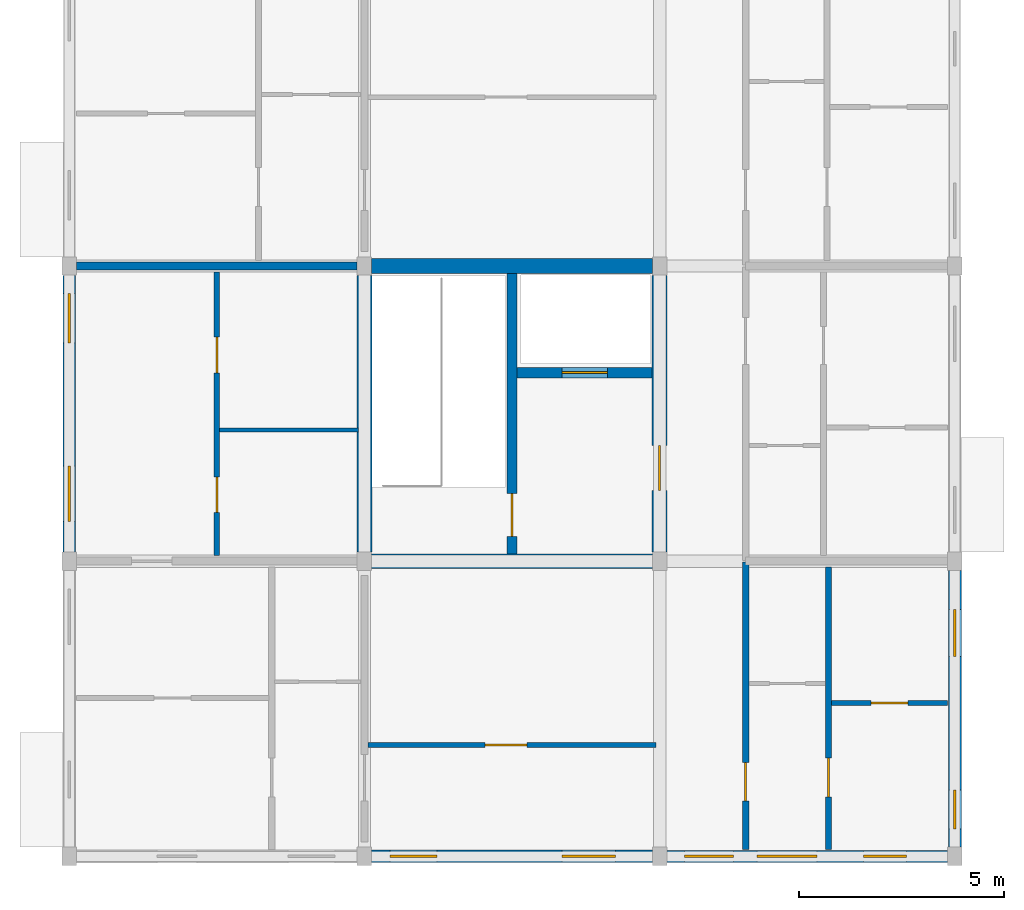
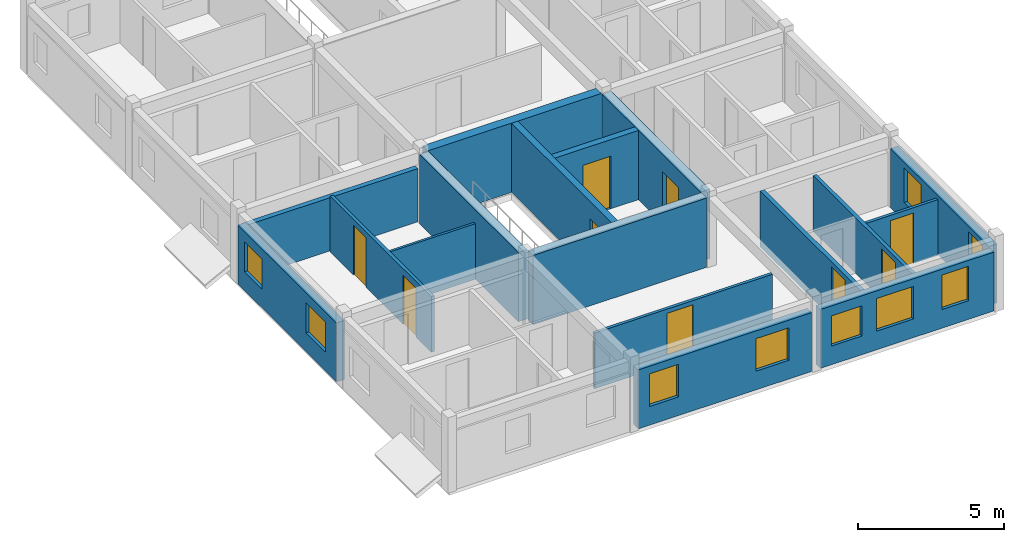
# One storey, part 2 of 6: 17 walls, 9 doors, 9 windows, 18 openings.
"""IFC4 building model written with IfcOpenShell, lengths in metres."""

import ifcopenshell
import ifcopenshell.guid

model = None  # the IFC model being written
_history = None  # IfcOwnerHistory: only IFC2X3 demands one
_inside = {}  # id of a spatial element -> (the spatial element, [elements in it])
_under = {}  # id of a project, library or spatial element -> (it, [spatial elements below it])
_declared = {}  # id of a project -> (the project, [libraries it declares])
_typed = {}  # id of a type object -> (the type object, [elements of that type])
_made_of = {}  # id of a material, layer set ... -> (it, [elements and type objects made of it])


def new_model(schema):
    """Start an empty IFC model of exactly this schema.

    Asked for "IFC4X3", IfcOpenShell would pick the latest addendum, in which some entities
    have other attributes; the version numbers below select the first issue.
    IFC2X3 requires an IfcOwnerHistory on every rooted entity: one is made here for all.
    """
    global model, _history
    if schema == "IFC4X3":
        model = ifcopenshell.file(schema_version=(4, 3, 0, 0))
    else:
        model = ifcopenshell.file(schema=schema)
    _inside.clear()
    _under.clear()
    _declared.clear()
    _typed.clear()
    _made_of.clear()
    _history = None
    if model.schema == "IFC2X3":
        org = make("IfcOrganization", Name="unknown")
        user = make(
            "IfcPersonAndOrganization",
            ThePerson=make("IfcPerson", FamilyName="unknown"),
            TheOrganization=org,
        )
        app = make(
            "IfcApplication",
            ApplicationDeveloper=org,
            Version="unknown",
            ApplicationFullName="unknown",
            ApplicationIdentifier="unknown",
        )
        _history = make(
            "IfcOwnerHistory",
            OwningUser=user,
            OwningApplication=app,
            ChangeAction="ADDED",
            CreationDate=0,
        )
    return model


def make(cls, **values):
    """One entity of the class cls with the attributes given. An attribute that is None is left unset."""
    return model.create_entity(
        cls, **{name: value for name, value in values.items() if value is not None}
    )


def rooted(cls, **values):
    """An entity with a GlobalId (a new one), such as an element, a storey or a relation."""
    return make(cls, GlobalId=ifcopenshell.guid.new(), OwnerHistory=_history, **values)


def si_unit(unit_type, name, prefix=None):
    """IfcSIUnit, for example si_unit("LENGTHUNIT", "METRE", prefix="MILLI")."""
    return make("IfcSIUnit", UnitType=unit_type, Prefix=prefix, Name=name)


def assignment(units):
    """IfcUnitAssignment: the units of a project."""
    return None if units is None else make("IfcUnitAssignment", Units=units)


def point(xyz):
    """IfcCartesianPoint."""
    return None if xyz is None else make("IfcCartesianPoint", Coordinates=xyz)


def direction(xyz):
    """IfcDirection."""
    return None if xyz is None else make("IfcDirection", DirectionRatios=xyz)


def frame(location, z_axis=None, x_axis=None):
    """IfcAxis2Placement3D, a coordinate frame: its origin and axes. An axis left out is left unset."""
    return make(
        "IfcAxis2Placement3D",
        Location=point(location),
        Axis=direction(z_axis),
        RefDirection=direction(x_axis),
    )


def frame_2d(location, x_axis=None):
    """IfcAxis2Placement2D, a coordinate frame in the plane: its origin and x axis."""
    return make(
        "IfcAxis2Placement2D", Location=point(location), RefDirection=direction(x_axis)
    )


def origin():
    """The frame at (0, 0, 0) with its axes left unset."""
    return frame((0.0, 0.0, 0.0))


def place(relative_to, where):
    """IfcLocalPlacement: puts the frame where relative to a parent placement (None: the world)."""
    return make(
        "IfcLocalPlacement", PlacementRelTo=relative_to, RelativePlacement=where
    )


def context(
    kind, dimensions, precision=None, world=None, true_north=None, identifier=None
):
    """IfcGeometricRepresentationContext, for example the 3D "Model" context."""
    return make(
        "IfcGeometricRepresentationContext",
        ContextIdentifier=identifier,
        ContextType=kind,
        CoordinateSpaceDimension=dimensions,
        Precision=precision,
        WorldCoordinateSystem=world,
        TrueNorth=true_north,
    )


def subcontext(parent, identifier, kind, view, scale=None):
    """IfcGeometricRepresentationSubContext, for example "Body" below "Model"."""
    return make(
        "IfcGeometricRepresentationSubContext",
        ContextIdentifier=identifier,
        ContextType=kind,
        ParentContext=parent,
        TargetScale=scale,
        TargetView=view,
    )


def project(units=None, contexts=None):
    """IfcProject with its units and contexts."""
    return rooted(
        "IfcProject",
        Name="project",
        RepresentationContexts=contexts,
        UnitsInContext=assignment(units),
    )


def spatial(cls, under=None, at=None, **own):
    """A site, building, storey or space (cls), placed at a placement, below another one or the project."""
    s = rooted(cls, ObjectPlacement=at, **own)
    if under is not None:
        _under.setdefault(under.id(), (under, []))[1].append(s)
    return s


def profile(cls, at=None, kind="AREA", **sizes):
    """A parametric profile (cls). Its sizes go by their IFC names, for example OverallWidth=200.0."""
    return make(cls, ProfileType=kind, Position=at, **sizes)


def rectangle(**sizes):
    """IfcRectangleProfileDef."""
    return profile("IfcRectangleProfileDef", **sizes)


def extrude(swept, where, along, depth):
    """IfcExtrudedAreaSolid: the profile swept, set in the frame where, extruded along a direction by depth."""
    return make(
        "IfcExtrudedAreaSolid",
        SweptArea=swept,
        Position=where,
        ExtrudedDirection=direction(along),
        Depth=depth,
    )


def shape(context_of_items, identifier, shape_type, items):
    """IfcShapeRepresentation: the items that make up one representation, for example the "Body"."""
    return make(
        "IfcShapeRepresentation",
        ContextOfItems=context_of_items,
        RepresentationIdentifier=identifier,
        RepresentationType=shape_type,
        Items=items,
    )


def material(Name=None, Category=None):
    """IfcMaterial."""
    return make("IfcMaterial", Name=Name, Category=Category)


def layer(
    of_material, thickness, ventilated=None, Name=None, Category=None, Priority=None
):
    """IfcMaterialLayer: one layer of a wall or slab, of a material (None: an air gap)."""
    return make(
        "IfcMaterialLayer",
        Material=of_material,
        LayerThickness=thickness,
        IsVentilated=ventilated,
        Name=Name,
        Category=Category,
        Priority=Priority,
    )


def layer_set(layers, Name=None):
    """IfcMaterialLayerSet."""
    return make("IfcMaterialLayerSet", MaterialLayers=layers, LayerSetName=Name)


def made_of(thing, what):
    """Note that an element or type object is made of a material, layer set ...; save() writes the relation."""
    if what is not None:
        _made_of.setdefault(what.id(), (what, []))[1].append(thing)
    return thing


def type_object(cls, material=None, **own):
    """A type object (cls), such as IfcWallType, which elements share."""
    return made_of(rooted(cls, **own), material)


def element(
    cls,
    number,
    at=None,
    inside=None,
    cuts=None,
    type_object=None,
    material=None,
    context=None,
    identifier="Body",
    shape_type=None,
    held_by="IfcProductDefinitionShape",
    body=None,
    shapes=None,
    **own,
):
    """One element of the class cls, such as IfcWall. Its Tag is "e" and its number.

    at: its placement. inside: the storey or other place that contains it. cuts: it is an
    opening in that element (IfcRelVoidsElement). A single representation is given by context,
    identifier, shape_type and body (its items); several are given by shapes. held_by: the class
    of the entity that holds the representations. save() writes the other relations.
    """
    e = rooted(cls, Tag="e%d" % number, ObjectPlacement=at, **own)
    if body is not None:
        shapes = [shape(context, identifier, shape_type, body)]
    if shapes is not None:
        e.Representation = make(held_by, Representations=shapes)
    if inside is not None:
        _inside.setdefault(inside.id(), (inside, []))[1].append(e)
    if cuts is not None:
        rooted(
            "IfcRelVoidsElement", RelatingBuildingElement=cuts, RelatedOpeningElement=e
        )
    if type_object is not None:
        _typed.setdefault(type_object.id(), (type_object, []))[1].append(e)
    return made_of(e, material)


def fill(opening, filler):
    """IfcRelFillsElement: the door or window that sits in an opening."""
    return rooted(
        "IfcRelFillsElement",
        RelatingOpeningElement=opening,
        RelatedBuildingElement=filler,
    )


def aggregate(whole, parts):
    """IfcRelAggregates: a whole, such as a stair, and the parts it consists of."""
    return rooted("IfcRelAggregates", RelatingObject=whole, RelatedObjects=parts)


def save(model, path):
    """Write the relations noted so far, then the file.

    IfcRelAggregates (storeys below a building ...), IfcRelContainedInSpatialStructure (elements
    in a storey), IfcRelDefinesByType, IfcRelAssociatesMaterial and IfcRelDeclares: one each for
    every whole, place, type object, material and project.
    """
    for whole, parts in _under.values():
        aggregate(whole, parts)
    for where, things in _inside.values():
        rooted(
            "IfcRelContainedInSpatialStructure",
            RelatedElements=things,
            RelatingStructure=where,
        )
    for kind, things in _typed.values():
        rooted("IfcRelDefinesByType", RelatedObjects=things, RelatingType=kind)
    for what, things in _made_of.values():
        rooted("IfcRelAssociatesMaterial", RelatedObjects=things, RelatingMaterial=what)
    for by, libraries in _declared.values():
        rooted("IfcRelDeclares", RelatingContext=by, RelatedDefinitions=libraries)
    model.write(path)


model = new_model("IFC4")

# Units and contexts
model_context = context("Model", 3, precision=1e-05, world=origin(), true_north=direction((0.0, 1.0)))
body_context = subcontext(model_context, "Body", "Model", "MODEL_VIEW")
ifc_project = project(units=[si_unit("LENGTHUNIT", "METRE"), si_unit("AREAUNIT", "SQUARE_METRE"), si_unit("VOLUMEUNIT", "CUBIC_METRE"), si_unit("PLANEANGLEUNIT", "RADIAN"), si_unit("MASSUNIT", "GRAM", prefix="KILO"), si_unit("THERMODYNAMICTEMPERATUREUNIT", "KELVIN"), si_unit("POWERUNIT", "WATT")], contexts=[model_context])

# Site, building, storey
site_placement = place(None, origin())
site = spatial("IfcSite", under=ifc_project, at=site_placement, CompositionType="ELEMENT")
building_placement = place(site_placement, origin())
building = spatial("IfcBuilding", under=site, at=building_placement, Name="Tavuni Mirador Residences", CompositionType="ELEMENT")
storey_placement = place(building_placement, frame((0.0, 0.0, 48.60009765625)))
storey = spatial("IfcBuildingStorey", under=building, at=storey_placement, Name="L15", CompositionType="ELEMENT", Elevation=48.60009765625)

# Wall, opening, door
ifc_material_1 = material(Name="Precast concrete C40/50", Category="concrete")
ifc_layer_1 = layer(ifc_material_1, 0.25, Name="Precast concrete C40/50", Category="concrete")
ifc_layer_set_1 = layer_set([ifc_layer_1], Name="Precast concrete C40/50")
wall_type_1 = type_object("IfcWallType", Name="WT-COR250", PredefinedType="SHEAR", material=ifc_layer_set_1)
wall_1_placement = place(storey_placement, frame((14.39990234375, 14.580078125, 0.0), z_axis=(0.0, 0.0, 1.0), x_axis=(0.0, 1.0, 0.0)))
wall_1 = element("IfcWall", 1, at=wall_1_placement, inside=storey, type_object=wall_type_1, Name="CWALL-C1-L15-MID", PredefinedType="SHEAR", context=body_context, shape_type="SweptSolid", body=[
    extrude(rectangle(XDim=6.83984375, YDim=0.25, at=frame_2d((3.419921875, 0.0))), origin(), (0.0, 0.0, 1.0), 2.889892578125),
])
opening_1_placement = place(wall_1_placement, frame((0.419921875, 0.0, 0.0)))
opening_1 = element("IfcOpeningElement", 2, at=opening_1_placement, cuts=wall_1, Name="Opening D-01", PredefinedType="OPENING", context=body_context, shape_type="SweptSolid", body=[
    extrude(rectangle(XDim=1.050048828125, YDim=2.14990234375, at=frame_2d((0.52490234375, 1.074951171875))), frame((0.0, 0.135009765625, 0.0), z_axis=(0.0, -1.0, 0.0), x_axis=(1.0, 0.0, 0.0)), (0.0, 0.0, 1.0), 0.27001953125),
])
ifc_material_2 = material(Name="Solid core iroko timber", Category="wood")
door_type_1 = type_object("IfcDoorType", Name="DT-ST1050", OperationType="NOTDEFINED", PredefinedType="DOOR", material=ifc_material_2)
door_1_placement = place(opening_1_placement, origin())
door_1 = element("IfcDoor", 3, at=door_1_placement, inside=storey, type_object=door_type_1, Name="DR-2052", OperationType="SINGLE_SWING_RIGHT", OverallHeight=2.14990234375, OverallWidth=1.050048828125, PredefinedType="DOOR", context=body_context, shape_type="SweptSolid", body=[
    extrude(rectangle(XDim=1.050048828125, YDim=2.14990234375, at=frame_2d((0.52490234375, 1.074951171875))), frame((0.0, 0.02490234375, 0.0), z_axis=(0.0, -1.0, 0.0), x_axis=(1.0, 0.0, 0.0)), (0.0, 0.0, 1.0), 0.050048828125),
])
fill(opening_1, door_1)

wall_2_placement = place(storey_placement, frame((14.52490234375, 19.0, 0.0), z_axis=(0.0, 0.0, 1.0), x_axis=(1.0, 0.0, 0.0)))
wall_2 = element("IfcWall", 4, at=wall_2_placement, inside=storey, type_object=wall_type_1, Name="CWALL-C1-L15-SHF", PredefinedType="SHEAR", context=body_context, shape_type="SweptSolid", body=[
    extrude(rectangle(XDim=3.295166015625, YDim=0.25, at=frame_2d((1.6474609375, 0.0))), origin(), (0.0, 0.0, 1.0), 2.889892578125),
])
opening_2_placement = place(wall_2_placement, frame((1.10009765625, 0.0, 0.0)))
opening_2 = element("IfcOpeningElement", 5, at=opening_2_placement, cuts=wall_2, Name="Opening LD-01", PredefinedType="OPENING", context=body_context, shape_type="SweptSolid", body=[
    extrude(rectangle(XDim=1.10009765625, YDim=2.199951171875, at=frame_2d((0.550048828125, 1.10009765625))), frame((0.0, 0.135009765625, 0.0), z_axis=(0.0, -1.0, 0.0), x_axis=(1.0, 0.0, 0.0)), (0.0, 0.0, 1.0), 0.27001953125),
])
ifc_material_3 = material(Name="Structural steel S355", Category="steel")
door_type_2 = type_object("IfcDoorType", Name="DT-LD-FF", OperationType="SLIDING_TO_LEFT", PredefinedType="DOOR", material=ifc_material_3)
door_2_placement = place(opening_2_placement, origin())
door_2 = element("IfcDoor", 6, at=door_2_placement, inside=storey, type_object=door_type_2, Name="Lift landing door FL-A1 L15", OperationType="SLIDING_TO_LEFT", OverallHeight=2.199951171875, OverallWidth=1.10009765625, PredefinedType="DOOR", context=body_context, shape_type="SweptSolid", body=[
    extrude(rectangle(XDim=1.10009765625, YDim=2.199951171875, at=frame_2d((0.550048828125, 1.10009765625))), frame((0.0, 0.02490234375, 0.0), z_axis=(0.0, -1.0, 0.0), x_axis=(1.0, 0.0, 0.0)), (0.0, 0.0, 1.0), 0.050048828125),
])
fill(opening_2, door_2)

# Walls
ifc_layer_2 = layer(ifc_material_1, 0.360107421875, Name="Precast concrete C40/50", Category="concrete")
ifc_layer_set_2 = layer_set([ifc_layer_2], Name="Precast concrete C40/50")
wall_type_2 = type_object("IfcWallType", Name="WT-COR360", PredefinedType="SHEAR", material=ifc_layer_set_2)
wall_3_placement = place(storey_placement, frame((10.800048828125, 14.625, 0.0), z_axis=(0.0, 0.0, 1.0), x_axis=(0.0, 1.0, 0.0)))
element("IfcWall", 7, at=wall_3_placement, inside=storey, type_object=wall_type_2, Name="CWALL-C1-L15-W", PredefinedType="SHEAR", context=body_context, shape_type="SweptSolid", body=[
    extrude(rectangle(XDim=6.75, YDim=0.360107421875, at=frame_2d((3.375, 0.0))), origin(), (0.0, 0.0, 1.0), 2.889892578125),
])
wall_4_placement = place(storey_placement, frame((10.97509765625, 21.60009765625, 0.0), z_axis=(0.0, 0.0, 1.0), x_axis=(1.0, 0.0, 0.0)))
element("IfcWall", 8, at=wall_4_placement, inside=storey, type_object=wall_type_2, Name="CWALL-C1-L15-N", PredefinedType="SHEAR", context=body_context, shape_type="SweptSolid", body=[
    extrude(rectangle(XDim=6.849853515625, YDim=0.360107421875, at=frame_2d((3.4248046875, 0.0))), origin(), (0.0, 0.0, 1.0), 2.889892578125),
])

# Wall, opening, door
wall_5_placement = place(storey_placement, frame((18.0, 14.625, 0.0), z_axis=(0.0, 0.0, 1.0), x_axis=(0.0, 1.0, 0.0)))
wall_5 = element("IfcWall", 9, at=wall_5_placement, inside=storey, type_object=wall_type_2, Name="CWALL-C1-L15-E", PredefinedType="SHEAR", context=body_context, shape_type="SweptSolid", body=[
    extrude(rectangle(XDim=6.75, YDim=0.360107421875, at=frame_2d((3.375, 0.0))), origin(), (0.0, 0.0, 1.0), 2.889892578125),
])
opening_3_placement = place(wall_5_placement, frame((1.5, 0.0, 0.0)))
opening_3 = element("IfcOpeningElement", 10, at=opening_3_placement, cuts=wall_5, Name="Opening D-02", PredefinedType="OPENING", context=body_context, shape_type="SweptSolid", body=[
    extrude(rectangle(XDim=1.10009765625, YDim=2.14990234375, at=frame_2d((0.550048828125, 1.074951171875))), frame((0.0, 0.18994140625, 0.0), z_axis=(0.0, -1.0, 0.0), x_axis=(1.0, 0.0, 0.0)), (0.0, 0.0, 1.0), 0.380126953125),
])
door_type_3 = type_object("IfcDoorType", Name="DT-LOB1100", OperationType="NOTDEFINED", PredefinedType="DOOR", material=ifc_material_2)
door_3_placement = place(opening_3_placement, frame((1.10009765625, 0.0, 0.0), z_axis=(0.0, 0.0, 1.0), x_axis=(-1.0, 0.0, 0.0)))
door_3 = element("IfcDoor", 11, at=door_3_placement, inside=storey, type_object=door_type_3, Name="DR-2051", OperationType="SINGLE_SWING_RIGHT", OverallHeight=2.14990234375, OverallWidth=1.10009765625, PredefinedType="DOOR", context=body_context, shape_type="SweptSolid", body=[
    extrude(rectangle(XDim=1.10009765625, YDim=2.14990234375, at=frame_2d((0.550048828125, 1.074951171875))), frame((0.0, 0.02490234375, 0.0), z_axis=(0.0, -1.0, 0.0), x_axis=(1.0, 0.0, 0.0)), (0.0, 0.0, 1.0), 0.050048828125),
])
fill(opening_3, door_3)

# Wall
wall_6_placement = place(storey_placement, frame((10.97509765625, 14.39990234375, 0.0), z_axis=(0.0, 0.0, 1.0), x_axis=(1.0, 0.0, 0.0)))
element("IfcWall", 12, at=wall_6_placement, inside=storey, type_object=wall_type_2, Name="CWALL-C1-L15-SS", PredefinedType="SHEAR", context=body_context, shape_type="SweptSolid", body=[
    extrude(rectangle(XDim=6.849853515625, YDim=0.360107421875, at=frame_2d((3.4248046875, 0.0))), origin(), (0.0, 0.0, 1.0), 2.889892578125),
])

# Wall, opening, door
ifc_layer_3 = layer(ifc_material_1, 0.1650390625, Name="Precast concrete C40/50", Category="concrete")
ifc_layer_set_3 = layer_set([ifc_layer_3], Name="Precast concrete C40/50")
wall_type_3 = type_object("IfcWallType", Name="WT-CORR165", PredefinedType="PARTITIONING", material=ifc_layer_set_3)
wall_7_placement = place(storey_placement, frame((20.10009765625, 7.375, 0.0), z_axis=(0.0, 0.0, 1.0), x_axis=(0.0, 1.0, 0.0)))
wall_7 = element("IfcWall", 13, at=wall_7_placement, inside=storey, type_object=wall_type_3, Name="CORW-BLK-A-L15-0-00", PredefinedType="PARTITIONING", context=body_context, shape_type="SweptSolid", body=[
    extrude(rectangle(XDim=7.0048828125, YDim=0.1650390625, at=frame_2d((3.50244140625, 0.0))), origin(), (0.0, 0.0, 1.0), 2.324951171875),
])
opening_4_placement = place(wall_7_placement, frame((1.175048828125, 0.0, 0.0)))
opening_4 = element("IfcOpeningElement", 14, at=opening_4_placement, cuts=wall_7, Name="Opening D-19", PredefinedType="OPENING", context=body_context, shape_type="SweptSolid", body=[
    extrude(rectangle(XDim=0.93994140625, YDim=2.1201171875, at=frame_2d((0.469970703125, 1.06005859375))), frame((0.0, 0.092529296875, 0.0), z_axis=(0.0, -1.0, 0.0), x_axis=(1.0, 0.0, 0.0)), (0.0, 0.0, 1.0), 0.18505859375),
])
door_type_4 = type_object("IfcDoorType", Name="DT-FD60-940", OperationType="NOTDEFINED", PredefinedType="DOOR", material=ifc_material_2)
door_4_placement = place(opening_4_placement, origin())
door_4 = element("IfcDoor", 15, at=door_4_placement, inside=storey, type_object=door_type_4, Name="DR-2515", OperationType="SINGLE_SWING_RIGHT", OverallHeight=2.1201171875, OverallWidth=0.93994140625, PredefinedType="DOOR", context=body_context, shape_type="SweptSolid", body=[
    extrude(rectangle(XDim=0.93994140625, YDim=2.1201171875, at=frame_2d((0.469970703125, 1.06005859375))), frame((0.0, 0.02490234375, 0.0), z_axis=(0.0, -1.0, 0.0), x_axis=(1.0, 0.0, 0.0)), (0.0, 0.0, 1.0), 0.050048828125),
])
fill(opening_4, door_4)

# Wall, openings, windows
ifc_material_4 = material(Name="Sgraffito lime-rendered precast concrete C40/50", Category="concrete")
ifc_layer_4 = layer(ifc_material_4, 0.2900390625, Name="Sgraffito lime-rendered precast concrete C40/50", Category="concrete")
ifc_layer_set_4 = layer_set([ifc_layer_4], Name="Sgraffito lime-rendered precast concrete C40/50")
wall_type_4 = type_object("IfcWallType", Name="WT-EXT-PC290", PredefinedType="SOLIDWALL", material=ifc_layer_set_4)
wall_8_placement = place(storey_placement, frame((18.175048828125, 7.199951171875, 0.0), z_axis=(0.0, 0.0, 1.0), x_axis=(1.0, 0.0, 0.0)))
wall_8 = element("IfcWall", 16, at=wall_8_placement, inside=storey, type_object=wall_type_4, Name="EW-BLK-A-L15-S02", PredefinedType="SOLIDWALL", context=body_context, shape_type="SweptSolid", body=[
    extrude(rectangle(XDim=6.849853515625, YDim=0.2900390625, at=frame_2d((3.4248046875, 0.0))), origin(), (0.0, 0.0, 1.0), 2.4599609375),
])
opening_5_placement = place(wall_8_placement, frame((0.4326171875, 0.0, 0.780029296875)))
opening_5 = element("IfcOpeningElement", 17, at=opening_5_placement, cuts=wall_8, Name="Opening WN-13", PredefinedType="OPENING", context=body_context, shape_type="SweptSolid", body=[
    extrude(rectangle(XDim=1.199951171875, YDim=1.260009765625, at=frame_2d((0.60009765625, 0.6298828125))), frame((0.0, 0.155029296875, 0.0), z_axis=(0.0, -1.0, 0.0), x_axis=(1.0, 0.0, 0.0)), (0.0, 0.0, 1.0), 0.31005859375),
])
opening_6_placement = place(wall_8_placement, frame((2.205078125, 0.0, 0.780029296875)))
opening_6 = element("IfcOpeningElement", 18, at=opening_6_placement, cuts=wall_8, Name="Opening WN-24", PredefinedType="OPENING", context=body_context, shape_type="SweptSolid", body=[
    extrude(rectangle(XDim=1.4599609375, YDim=1.360107421875, at=frame_2d((0.72998046875, 0.68017578125))), frame((0.0, 0.155029296875, 0.0), z_axis=(0.0, -1.0, 0.0), x_axis=(1.0, 0.0, 0.0)), (0.0, 0.0, 1.0), 0.31005859375),
])
opening_7_placement = place(wall_8_placement, frame((4.802490234375, 0.0, 0.780029296875)))
opening_7 = element("IfcOpeningElement", 19, at=opening_7_placement, cuts=wall_8, Name="Opening WN-26", PredefinedType="OPENING", context=body_context, shape_type="SweptSolid", body=[
    extrude(rectangle(XDim=1.050048828125, YDim=1.43994140625, at=frame_2d((0.52490234375, 0.719970703125))), frame((0.0, 0.155029296875, 0.0), z_axis=(0.0, -1.0, 0.0), x_axis=(1.0, 0.0, 0.0)), (0.0, 0.0, 1.0), 0.31005859375),
])
ifc_material_5 = material(Name="Laminated solar-control glass", Category="glass")
window_type_1 = type_object("IfcWindowType", Name="WNT-13", PartitioningType="SINGLE_PANEL", PredefinedType="WINDOW", material=ifc_material_5)
window_1_placement = place(opening_5_placement, origin())
window_1 = element("IfcWindow", 20, at=window_1_placement, inside=storey, type_object=window_type_1, Name="WIN-0516", OverallHeight=1.260009765625, OverallWidth=1.199951171875, PartitioningType="SINGLE_PANEL", PredefinedType="WINDOW", context=body_context, shape_type="SweptSolid", body=[
    extrude(rectangle(XDim=1.199951171875, YDim=1.260009765625, at=frame_2d((0.60009765625, 0.6298828125))), frame((0.0, 0.030029296875, 0.0), z_axis=(0.0, -1.0, 0.0), x_axis=(1.0, 0.0, 0.0)), (0.0, 0.0, 1.0), 0.06005859375),
])
fill(opening_5, window_1)
window_type_2 = type_object("IfcWindowType", Name="WNT-24", PartitioningType="SINGLE_PANEL", PredefinedType="WINDOW", material=ifc_material_5)
window_2_placement = place(opening_6_placement, origin())
window_2 = element("IfcWindow", 21, at=window_2_placement, inside=storey, type_object=window_type_2, Name="WIN-0517", OverallHeight=1.360107421875, OverallWidth=1.4599609375, PartitioningType="SINGLE_PANEL", PredefinedType="WINDOW", context=body_context, shape_type="SweptSolid", body=[
    extrude(rectangle(XDim=1.4599609375, YDim=1.360107421875, at=frame_2d((0.72998046875, 0.68017578125))), frame((0.0, 0.030029296875, 0.0), z_axis=(0.0, -1.0, 0.0), x_axis=(1.0, 0.0, 0.0)), (0.0, 0.0, 1.0), 0.06005859375),
])
fill(opening_6, window_2)
window_type_3 = type_object("IfcWindowType", Name="WNT-26", PartitioningType="SINGLE_PANEL", PredefinedType="WINDOW", material=ifc_material_5)
window_3_placement = place(opening_7_placement, origin())
window_3 = element("IfcWindow", 22, at=window_3_placement, inside=storey, type_object=window_type_3, Name="WIN-0518", OverallHeight=1.43994140625, OverallWidth=1.050048828125, PartitioningType="SINGLE_PANEL", PredefinedType="WINDOW", context=body_context, shape_type="SweptSolid", body=[
    extrude(rectangle(XDim=1.050048828125, YDim=1.43994140625, at=frame_2d((0.52490234375, 0.719970703125))), frame((0.0, 0.030029296875, 0.0), z_axis=(0.0, -1.0, 0.0), x_axis=(1.0, 0.0, 0.0)), (0.0, 0.0, 1.0), 0.06005859375),
])
fill(opening_7, window_3)

ifc_layer_5 = layer(ifc_material_4, 0.304931640625, Name="Sgraffito lime-rendered precast concrete C40/50", Category="concrete")
ifc_layer_set_5 = layer_set([ifc_layer_5], Name="Sgraffito lime-rendered precast concrete C40/50")
wall_type_5 = type_object("IfcWallType", Name="WT-EXT-PC305", PredefinedType="SOLIDWALL", material=ifc_layer_set_5)
wall_9_placement = place(storey_placement, frame((10.97509765625, 7.199951171875, 0.0), z_axis=(0.0, 0.0, 1.0), x_axis=(1.0, 0.0, 0.0)))
wall_9 = element("IfcWall", 23, at=wall_9_placement, inside=storey, type_object=wall_type_5, Name="EW-BLK-A-L15-S01", PredefinedType="SOLIDWALL", context=body_context, shape_type="SweptSolid", body=[
    extrude(rectangle(XDim=6.849853515625, YDim=0.304931640625, at=frame_2d((3.4248046875, 0.0))), origin(), (0.0, 0.0, 1.0), 2.4599609375),
])
opening_8_placement = place(wall_9_placement, frame((0.449951171875, 0.0, 0.780029296875)))
opening_8 = element("IfcOpeningElement", 24, at=opening_8_placement, cuts=wall_9, Name="Opening WN-20", PredefinedType="OPENING", context=body_context, shape_type="SweptSolid", body=[
    extrude(rectangle(XDim=1.139892578125, YDim=1.360107421875, at=frame_2d((0.56982421875, 0.68017578125))), frame((0.0, 0.16259765625, 0.0), z_axis=(0.0, -1.0, 0.0), x_axis=(1.0, 0.0, 0.0)), (0.0, 0.0, 1.0), 0.324951171875),
])
opening_9_placement = place(wall_9_placement, frame((4.64990234375, 0.0, 0.780029296875)))
opening_9 = element("IfcOpeningElement", 25, at=opening_9_placement, cuts=wall_9, Name="Opening WN-22", PredefinedType="OPENING", context=body_context, shape_type="SweptSolid", body=[
    extrude(rectangle(XDim=1.300048828125, YDim=1.360107421875, at=frame_2d((0.64990234375, 0.68017578125))), frame((0.0, 0.16259765625, 0.0), z_axis=(0.0, -1.0, 0.0), x_axis=(1.0, 0.0, 0.0)), (0.0, 0.0, 1.0), 0.324951171875),
])
window_type_4 = type_object("IfcWindowType", Name="WNT-20", PartitioningType="SINGLE_PANEL", PredefinedType="WINDOW", material=ifc_material_5)
window_4_placement = place(opening_8_placement, origin())
window_4 = element("IfcWindow", 26, at=window_4_placement, inside=storey, type_object=window_type_4, Name="WIN-0514", OverallHeight=1.360107421875, OverallWidth=1.139892578125, PartitioningType="SINGLE_PANEL", PredefinedType="WINDOW", context=body_context, shape_type="SweptSolid", body=[
    extrude(rectangle(XDim=1.139892578125, YDim=1.360107421875, at=frame_2d((0.56982421875, 0.68017578125))), frame((0.0, 0.030029296875, 0.0), z_axis=(0.0, -1.0, 0.0), x_axis=(1.0, 0.0, 0.0)), (0.0, 0.0, 1.0), 0.06005859375),
])
fill(opening_8, window_4)
window_type_5 = type_object("IfcWindowType", Name="WNT-22", PartitioningType="SINGLE_PANEL", PredefinedType="WINDOW", material=ifc_material_5)
window_5_placement = place(opening_9_placement, origin())
window_5 = element("IfcWindow", 27, at=window_5_placement, inside=storey, type_object=window_type_5, Name="WIN-0515", OverallHeight=1.360107421875, OverallWidth=1.300048828125, PartitioningType="SINGLE_PANEL", PredefinedType="WINDOW", context=body_context, shape_type="SweptSolid", body=[
    extrude(rectangle(XDim=1.300048828125, YDim=1.360107421875, at=frame_2d((0.64990234375, 0.68017578125))), frame((0.0, 0.030029296875, 0.0), z_axis=(0.0, -1.0, 0.0), x_axis=(1.0, 0.0, 0.0)), (0.0, 0.0, 1.0), 0.06005859375),
])
fill(opening_9, window_5)

wall_10_placement = place(storey_placement, frame((3.60009765625, 21.375, 0.0), z_axis=(0.0, 0.0, 1.0), x_axis=(0.0, -1.0, 0.0)))
wall_10 = element("IfcWall", 28, at=wall_10_placement, inside=storey, type_object=wall_type_5, Name="EW-BLK-A-L15-W01", PredefinedType="SOLIDWALL", context=body_context, shape_type="SweptSolid", body=[
    extrude(rectangle(XDim=6.75, YDim=0.304931640625, at=frame_2d((3.375, 0.0))), origin(), (0.0, 0.0, 1.0), 2.4599609375),
])
opening_10_placement = place(wall_10_placement, frame((0.449951171875, 0.0, 0.780029296875)))
opening_10 = element("IfcOpeningElement", 29, at=opening_10_placement, cuts=wall_10, Name="Opening WN-13", PredefinedType="OPENING", context=body_context, shape_type="SweptSolid", body=[
    extrude(rectangle(XDim=1.199951171875, YDim=1.260009765625, at=frame_2d((0.60009765625, 0.6298828125))), frame((0.0, 0.16259765625, 0.0), z_axis=(0.0, -1.0, 0.0), x_axis=(1.0, 0.0, 0.0)), (0.0, 0.0, 1.0), 0.324951171875),
])
opening_11_placement = place(wall_10_placement, frame((4.64990234375, 0.0, 0.780029296875)))
opening_11 = element("IfcOpeningElement", 30, at=opening_11_placement, cuts=wall_10, Name="Opening WN-15", PredefinedType="OPENING", context=body_context, shape_type="SweptSolid", body=[
    extrude(rectangle(XDim=1.360107421875, YDim=1.260009765625, at=frame_2d((0.68017578125, 0.6298828125))), frame((0.0, 0.16259765625, 0.0), z_axis=(0.0, -1.0, 0.0), x_axis=(1.0, 0.0, 0.0)), (0.0, 0.0, 1.0), 0.324951171875),
])
window_6_placement = place(opening_10_placement, origin())
window_6 = element("IfcWindow", 31, at=window_6_placement, inside=storey, type_object=window_type_1, Name="WIN-0537", OverallHeight=1.260009765625, OverallWidth=1.199951171875, PartitioningType="SINGLE_PANEL", PredefinedType="WINDOW", context=body_context, shape_type="SweptSolid", body=[
    extrude(rectangle(XDim=1.199951171875, YDim=1.260009765625, at=frame_2d((0.60009765625, 0.6298828125))), frame((0.0, 0.030029296875, 0.0), z_axis=(0.0, -1.0, 0.0), x_axis=(1.0, 0.0, 0.0)), (0.0, 0.0, 1.0), 0.06005859375),
])
fill(opening_10, window_6)
window_type_6 = type_object("IfcWindowType", Name="WNT-15", PartitioningType="SINGLE_PANEL", PredefinedType="WINDOW", material=ifc_material_5)
window_7_placement = place(opening_11_placement, origin())
window_7 = element("IfcWindow", 32, at=window_7_placement, inside=storey, type_object=window_type_6, Name="WIN-0538", OverallHeight=1.260009765625, OverallWidth=1.360107421875, PartitioningType="SINGLE_PANEL", PredefinedType="WINDOW", context=body_context, shape_type="SweptSolid", body=[
    extrude(rectangle(XDim=1.360107421875, YDim=1.260009765625, at=frame_2d((0.68017578125, 0.6298828125))), frame((0.0, 0.030029296875, 0.0), z_axis=(0.0, -1.0, 0.0), x_axis=(1.0, 0.0, 0.0)), (0.0, 0.0, 1.0), 0.06005859375),
])
fill(opening_11, window_7)

ifc_layer_6 = layer(ifc_material_4, 0.31494140625, Name="Sgraffito lime-rendered precast concrete C40/50", Category="concrete")
ifc_layer_set_6 = layer_set([ifc_layer_6], Name="Sgraffito lime-rendered precast concrete C40/50")
wall_type_6 = type_object("IfcWallType", Name="WT-EXT-PC315", PredefinedType="SOLIDWALL", material=ifc_layer_set_6)
wall_11_placement = place(storey_placement, frame((25.199951171875, 7.425048828125, 0.0), z_axis=(0.0, 0.0, 1.0), x_axis=(0.0, 1.0, 0.0)))
wall_11 = element("IfcWall", 33, at=wall_11_placement, inside=storey, type_object=wall_type_6, Name="EW-BLK-A-L15-E00", PredefinedType="SOLIDWALL", context=body_context, shape_type="SweptSolid", body=[
    extrude(rectangle(XDim=6.75, YDim=0.31494140625, at=frame_2d((3.375, 0.0))), origin(), (0.0, 0.0, 1.0), 2.4599609375),
])
opening_12_placement = place(wall_11_placement, frame((0.449951171875, 0.0, 0.780029296875)))
opening_12 = element("IfcOpeningElement", 34, at=opening_12_placement, cuts=wall_11, Name="Opening WN-25", PredefinedType="OPENING", context=body_context, shape_type="SweptSolid", body=[
    extrude(rectangle(XDim=0.93994140625, YDim=1.43994140625, at=frame_2d((0.469970703125, 0.719970703125))), frame((0.0, 0.16748046875, 0.0), z_axis=(0.0, -1.0, 0.0), x_axis=(1.0, 0.0, 0.0)), (0.0, 0.0, 1.0), 0.3349609375),
])
opening_13_placement = place(wall_11_placement, frame((4.64990234375, 0.0, 0.780029296875)))
opening_13 = element("IfcOpeningElement", 35, at=opening_13_placement, cuts=wall_11, Name="Opening WN-27", PredefinedType="OPENING", context=body_context, shape_type="SweptSolid", body=[
    extrude(rectangle(XDim=1.14990234375, YDim=1.43994140625, at=frame_2d((0.574951171875, 0.719970703125))), frame((0.0, 0.16748046875, 0.0), z_axis=(0.0, -1.0, 0.0), x_axis=(1.0, 0.0, 0.0)), (0.0, 0.0, 1.0), 0.3349609375),
])
window_type_7 = type_object("IfcWindowType", Name="WNT-25", PartitioningType="SINGLE_PANEL", PredefinedType="WINDOW", material=ifc_material_5)
window_8_placement = place(opening_12_placement, origin())
window_8 = element("IfcWindow", 36, at=window_8_placement, inside=storey, type_object=window_type_7, Name="WIN-0519", OverallHeight=1.43994140625, OverallWidth=0.93994140625, PartitioningType="SINGLE_PANEL", PredefinedType="WINDOW", context=body_context, shape_type="SweptSolid", body=[
    extrude(rectangle(XDim=0.93994140625, YDim=1.43994140625, at=frame_2d((0.469970703125, 0.719970703125))), frame((0.0, 0.030029296875, 0.0), z_axis=(0.0, -1.0, 0.0), x_axis=(1.0, 0.0, 0.0)), (0.0, 0.0, 1.0), 0.06005859375),
])
fill(opening_12, window_8)
window_type_8 = type_object("IfcWindowType", Name="WNT-27", PartitioningType="SINGLE_PANEL", PredefinedType="WINDOW", material=ifc_material_5)
window_9_placement = place(opening_13_placement, origin())
window_9 = element("IfcWindow", 37, at=window_9_placement, inside=storey, type_object=window_type_8, Name="WIN-0520", OverallHeight=1.43994140625, OverallWidth=1.14990234375, PartitioningType="SINGLE_PANEL", PredefinedType="WINDOW", context=body_context, shape_type="SweptSolid", body=[
    extrude(rectangle(XDim=1.14990234375, YDim=1.43994140625, at=frame_2d((0.574951171875, 0.719970703125))), frame((0.0, 0.030029296875, 0.0), z_axis=(0.0, -1.0, 0.0), x_axis=(1.0, 0.0, 0.0)), (0.0, 0.0, 1.0), 0.06005859375),
])
fill(opening_13, window_9)

# Wall
ifc_material_6 = material(Name="Acoustic gypsum and concrete block partition", Category="concrete")
ifc_layer_7 = layer(ifc_material_6, 0.094970703125, Name="Acoustic gypsum and concrete block partition", Category="concrete")
ifc_layer_set_7 = layer_set([ifc_layer_7], Name="Acoustic gypsum and concrete block partition")
wall_type_7 = type_object("IfcWallType", Name="WT-PART095", PredefinedType="PARTITIONING", material=ifc_layer_set_7)
wall_12_placement = place(storey_placement, frame((7.27001953125, 17.60009765625, 0.0), z_axis=(0.0, 0.0, 1.0), x_axis=(1.0, 0.0, 0.0)))
element("IfcWall", 38, at=wall_12_placement, inside=storey, type_object=wall_type_7, Name="PW-BLK-A-L15-WC01-H", PredefinedType="PARTITIONING", context=body_context, shape_type="SweptSolid", body=[
    extrude(rectangle(XDim=3.389892578125, YDim=0.094970703125, at=frame_2d((1.69482421875, 0.0))), origin(), (0.0, 0.0, 1.0), 2.324951171875),
])

# Wall, opening, door
ifc_layer_8 = layer(ifc_material_6, 0.114990234375, Name="Acoustic gypsum and concrete block partition", Category="concrete")
ifc_layer_set_8 = layer_set([ifc_layer_8], Name="Acoustic gypsum and concrete block partition")
wall_type_8 = type_object("IfcWallType", Name="WT-PART115", PredefinedType="PARTITIONING", material=ifc_layer_set_8)
wall_13_placement = place(storey_placement, frame((10.889892578125, 9.919921875, 0.0), z_axis=(0.0, 0.0, 1.0), x_axis=(1.0, 0.0, 0.0)))
wall_13 = element("IfcWall", 39, at=wall_13_placement, inside=storey, type_object=wall_type_8, Name="PW-SPN-BLK-A-L15-00", PredefinedType="PARTITIONING", context=body_context, shape_type="SweptSolid", body=[
    extrude(rectangle(XDim=7.02001953125, YDim=0.114990234375, at=frame_2d((3.510009765625, 0.0))), origin(), (0.0, 0.0, 1.0), 2.324951171875),
])
opening_14_placement = place(wall_13_placement, frame((2.85009765625, 0.0, 0.0)))
opening_14 = element("IfcOpeningElement", 40, at=opening_14_placement, cuts=wall_13, Name="Opening D-13", PredefinedType="OPENING", context=body_context, shape_type="SweptSolid", body=[
    extrude(rectangle(XDim=1.02001953125, YDim=2.14990234375, at=frame_2d((0.510009765625, 1.074951171875))), frame((0.0, 0.0673828125, 0.0), z_axis=(0.0, -1.0, 0.0), x_axis=(1.0, 0.0, 0.0)), (0.0, 0.0, 1.0), 0.135009765625),
])
door_type_5 = type_object("IfcDoorType", Name="DT-MTG1020", OperationType="NOTDEFINED", PredefinedType="DOOR", material=ifc_material_2)
door_5_placement = place(opening_14_placement, origin())
door_5 = element("IfcDoor", 41, at=door_5_placement, inside=storey, type_object=door_type_5, Name="DR-3400", OperationType="SINGLE_SWING_LEFT", OverallHeight=2.14990234375, OverallWidth=1.02001953125, PredefinedType="DOOR", context=body_context, shape_type="SweptSolid", body=[
    extrude(rectangle(XDim=1.02001953125, YDim=2.14990234375, at=frame_2d((0.510009765625, 1.074951171875))), frame((0.0, 0.02490234375, 0.0), z_axis=(0.0, -1.0, 0.0), x_axis=(1.0, 0.0, 0.0)), (0.0, 0.0, 1.0), 0.050048828125),
])
fill(opening_14, door_5)

wall_14_placement = place(storey_placement, frame((22.18994140625, 10.93994140625, 0.0), z_axis=(0.0, 0.0, 1.0), x_axis=(1.0, 0.0, 0.0)))
wall_14 = element("IfcWall", 42, at=wall_14_placement, inside=storey, type_object=wall_type_8, Name="PW-BLK-A-L15-E00-OUT", PredefinedType="PARTITIONING", context=body_context, shape_type="SweptSolid", body=[
    extrude(rectangle(XDim=2.8349609375, YDim=0.114990234375, at=frame_2d((1.41748046875, 0.0))), origin(), (0.0, 0.0, 1.0), 2.324951171875),
])
opening_15_placement = place(wall_14_placement, frame((0.967529296875, 0.0, 0.0)))
opening_15 = element("IfcOpeningElement", 43, at=opening_15_placement, cuts=wall_14, Name="Opening D-07", PredefinedType="OPENING", context=body_context, shape_type="SweptSolid", body=[
    extrude(rectangle(XDim=0.89990234375, YDim=2.10009765625, at=frame_2d((0.449951171875, 1.050048828125))), frame((0.0, 0.0673828125, 0.0), z_axis=(0.0, -1.0, 0.0), x_axis=(1.0, 0.0, 0.0)), (0.0, 0.0, 1.0), 0.135009765625),
])
door_type_6 = type_object("IfcDoorType", Name="DT-BED900", OperationType="NOTDEFINED", PredefinedType="DOOR", material=ifc_material_2)
door_6_placement = place(opening_15_placement, origin())
door_6 = element("IfcDoor", 44, at=door_6_placement, inside=storey, type_object=door_type_6, Name="DR-3404", OperationType="SINGLE_SWING_LEFT", OverallHeight=2.10009765625, OverallWidth=0.89990234375, PredefinedType="DOOR", context=body_context, shape_type="SweptSolid", body=[
    extrude(rectangle(XDim=0.89990234375, YDim=2.10009765625, at=frame_2d((0.449951171875, 1.050048828125))), frame((0.0, 0.02490234375, 0.0), z_axis=(0.0, -1.0, 0.0), x_axis=(1.0, 0.0, 0.0)), (0.0, 0.0, 1.0), 0.050048828125),
])
fill(opening_15, door_6)

# Wall, openings, doors
ifc_layer_9 = layer(ifc_material_6, 0.125, Name="Acoustic gypsum and concrete block partition", Category="concrete")
ifc_layer_set_9 = layer_set([ifc_layer_9], Name="Acoustic gypsum and concrete block partition")
wall_type_9 = type_object("IfcWallType", Name="WT-PART125", PredefinedType="PARTITIONING", material=ifc_layer_set_9)
wall_15_placement = place(storey_placement, frame((7.199951171875, 14.5400390625, 0.0), z_axis=(0.0, 0.0, 1.0), x_axis=(0.0, 1.0, 0.0)))
wall_15 = element("IfcWall", 45, at=wall_15_placement, inside=storey, type_object=wall_type_9, Name="PW-BLK-A-L15-WC01-M", PredefinedType="PARTITIONING", context=body_context, shape_type="SweptSolid", body=[
    extrude(rectangle(XDim=6.919921875, YDim=0.125, at=frame_2d((3.4599609375, 0.0))), origin(), (0.0, 0.0, 1.0), 2.324951171875),
])
opening_16_placement = place(wall_15_placement, frame((1.050048828125, 0.0, 0.0)))
opening_16 = element("IfcOpeningElement", 46, at=opening_16_placement, cuts=wall_15, Name="Opening D-10", PredefinedType="OPENING", context=body_context, shape_type="SweptSolid", body=[
    extrude(rectangle(XDim=0.8701171875, YDim=2.050048828125, at=frame_2d((0.43505859375, 1.02490234375))), frame((0.0, 0.072509765625, 0.0), z_axis=(0.0, -1.0, 0.0), x_axis=(1.0, 0.0, 0.0)), (0.0, 0.0, 1.0), 0.14501953125),
])
opening_17_placement = place(wall_15_placement, frame((4.449951171875, 0.0, 0.0)))
opening_17 = element("IfcOpeningElement", 47, at=opening_17_placement, cuts=wall_15, Name="Opening D-08", PredefinedType="OPENING", context=body_context, shape_type="SweptSolid", body=[
    extrude(rectangle(XDim=0.8798828125, YDim=2.080078125, at=frame_2d((0.43994140625, 1.0400390625))), frame((0.0, 0.072509765625, 0.0), z_axis=(0.0, -1.0, 0.0), x_axis=(1.0, 0.0, 0.0)), (0.0, 0.0, 1.0), 0.14501953125),
])
door_type_7 = type_object("IfcDoorType", Name="DT-BED880", OperationType="NOTDEFINED", PredefinedType="DOOR", material=ifc_material_2)
door_7_placement = place(opening_17_placement, origin())
door_7 = element("IfcDoor", 48, at=door_7_placement, inside=storey, type_object=door_type_7, Name="DR-3408", OperationType="SINGLE_SWING_LEFT", OverallHeight=2.080078125, OverallWidth=0.8798828125, PredefinedType="DOOR", context=body_context, shape_type="SweptSolid", body=[
    extrude(rectangle(XDim=0.8798828125, YDim=2.080078125, at=frame_2d((0.43994140625, 1.0400390625))), frame((0.0, 0.02490234375, 0.0), z_axis=(0.0, -1.0, 0.0), x_axis=(1.0, 0.0, 0.0)), (0.0, 0.0, 1.0), 0.050048828125),
])
fill(opening_17, door_7)
door_type_8 = type_object("IfcDoorType", Name="DT-WC870", OperationType="NOTDEFINED", PredefinedType="DOOR", material=ifc_material_2)
door_8_placement = place(opening_16_placement, origin())
door_8 = element("IfcDoor", 49, at=door_8_placement, inside=storey, type_object=door_type_8, Name="DR-3407", OperationType="SINGLE_SWING_RIGHT", OverallHeight=2.050048828125, OverallWidth=0.8701171875, PredefinedType="DOOR", context=body_context, shape_type="SweptSolid", body=[
    extrude(rectangle(XDim=0.8701171875, YDim=2.050048828125, at=frame_2d((0.43505859375, 1.02490234375))), frame((0.0, 0.02490234375, 0.0), z_axis=(0.0, -1.0, 0.0), x_axis=(1.0, 0.0, 0.0)), (0.0, 0.0, 1.0), 0.050048828125),
])
fill(opening_16, door_8)

# Wall, opening, door
ifc_layer_10 = layer(ifc_material_6, 0.139892578125, Name="Acoustic gypsum and concrete block partition", Category="concrete")
ifc_layer_set_10 = layer_set([ifc_layer_10], Name="Acoustic gypsum and concrete block partition")
wall_type_10 = type_object("IfcWallType", Name="WT-PART140", PredefinedType="PARTITIONING", material=ifc_layer_set_10)
wall_16_placement = place(storey_placement, frame((22.1201171875, 7.375, 0.0), z_axis=(0.0, 0.0, 1.0), x_axis=(0.0, 1.0, 0.0)))
wall_16 = element("IfcWall", 50, at=wall_16_placement, inside=storey, type_object=wall_type_10, Name="PW-BLK-A-L15-E00-MID", PredefinedType="PARTITIONING", context=body_context, shape_type="SweptSolid", body=[
    extrude(rectangle(XDim=6.885009765625, YDim=0.139892578125, at=frame_2d((3.4423828125, 0.0))), origin(), (0.0, 0.0, 1.0), 2.324951171875),
])
opening_18_placement = place(wall_16_placement, frame((1.27490234375, 0.0, 0.0)))
opening_18 = element("IfcOpeningElement", 51, at=opening_18_placement, cuts=wall_16, Name="Opening D-05", PredefinedType="OPENING", context=body_context, shape_type="SweptSolid", body=[
    extrude(rectangle(XDim=0.949951171875, YDim=2.10009765625, at=frame_2d((0.47509765625, 1.050048828125))), frame((0.0, 0.080078125, 0.0), z_axis=(0.0, -1.0, 0.0), x_axis=(1.0, 0.0, 0.0)), (0.0, 0.0, 1.0), 0.159912109375),
])
door_type_9 = type_object("IfcDoorType", Name="DT-INT950", OperationType="NOTDEFINED", PredefinedType="DOOR", material=ifc_material_2)
door_9_placement = place(opening_18_placement, origin())
door_9 = element("IfcDoor", 52, at=door_9_placement, inside=storey, type_object=door_type_9, Name="DR-3406", OperationType="SINGLE_SWING_LEFT", OverallHeight=2.10009765625, OverallWidth=0.949951171875, PredefinedType="DOOR", context=body_context, shape_type="SweptSolid", body=[
    extrude(rectangle(XDim=0.949951171875, YDim=2.10009765625, at=frame_2d((0.47509765625, 1.050048828125))), frame((0.0, 0.02490234375, 0.0), z_axis=(0.0, -1.0, 0.0), x_axis=(1.0, 0.0, 0.0)), (0.0, 0.0, 1.0), 0.050048828125),
])
fill(opening_18, door_9)

# Wall
ifc_layer_11 = layer(ifc_material_1, 0.195068359375, Name="Precast concrete C40/50", Category="concrete")
ifc_layer_set_11 = layer_set([ifc_layer_11], Name="Precast concrete C40/50")
wall_type_11 = type_object("IfcWallType", Name="WT-XW195", PredefinedType="SOLIDWALL", material=ifc_layer_set_11)
wall_17_placement = place(storey_placement, frame((3.77490234375, 21.60009765625, 0.0), z_axis=(0.0, 0.0, 1.0), x_axis=(1.0, 0.0, 0.0)))
element("IfcWall", 53, at=wall_17_placement, inside=storey, type_object=wall_type_11, Name="XW-BLK-A-L15-W-02", PredefinedType="SOLIDWALL", context=body_context, shape_type="SweptSolid", body=[
    extrude(rectangle(XDim=6.85009765625, YDim=0.195068359375, at=frame_2d((3.425048828125, 0.0))), origin(), (0.0, 0.0, 1.0), 2.219970703125),
])

save(model, "model.ifc")
